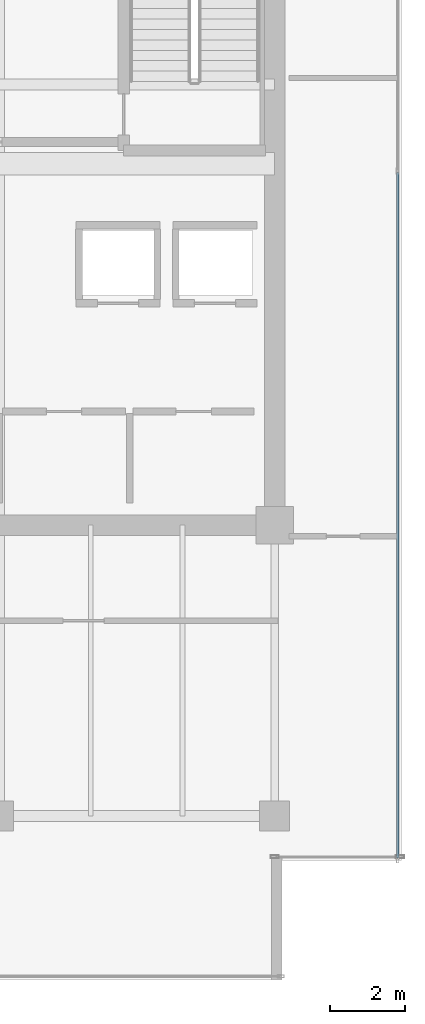
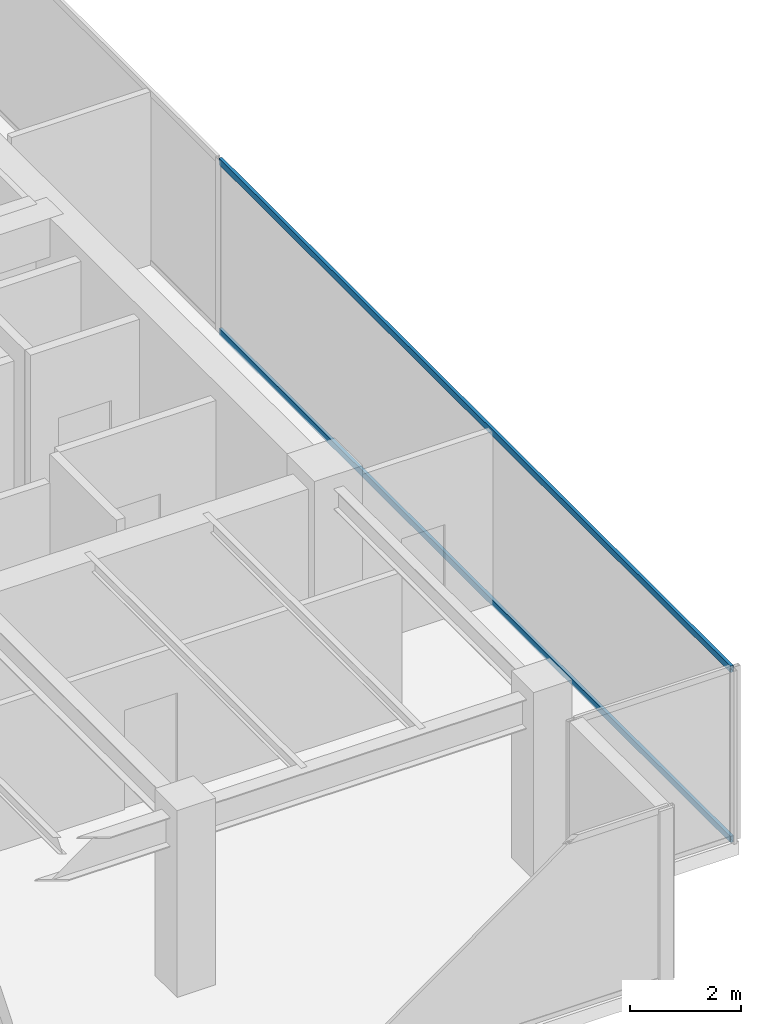
# One storey, part 23 of 33: 2 members, 1 element without a shape of its own.
"""IFC4 building model written with IfcOpenShell, lengths in metres."""

from ifc_helpers import new_model, si_unit, direction, frame, origin, origin_2d, place, context, subcontext, project, spatial, hollow_rectangle, extrude, source, transform, mapped, material, layer, layer_set, material_profile, profile_set, type_object, type_shapes, element, aggregate, save


model = new_model("IFC4")

# Units and contexts
model_context = context("Model", 3, precision=1e-05, world=origin(), true_north=direction((0.0, 1.0)))
body_context = subcontext(model_context, "Body", "Model", "MODEL_VIEW")
ifc_project = project(units=[si_unit("LENGTHUNIT", "METRE"), si_unit("AREAUNIT", "SQUARE_METRE"), si_unit("VOLUMEUNIT", "CUBIC_METRE"), si_unit("PLANEANGLEUNIT", "RADIAN"), si_unit("MASSUNIT", "GRAM", prefix="KILO")], contexts=[model_context])

# Site, building, storey
site_placement = place(None, origin())
site = spatial("IfcSite", under=ifc_project, at=site_placement, CompositionType="ELEMENT")
building_placement = place(site_placement, origin())
building = spatial("IfcBuilding", under=site, at=building_placement, Name="Haelvirn Gate Laboratories", CompositionType="ELEMENT")
storey_placement = place(building_placement, frame((0.0, 0.0, 258.800048828125)))
storey = spatial("IfcBuildingStorey", under=building, at=storey_placement, Name="L62", CompositionType="ELEMENT", Elevation=258.800048828125)

# Curtain wall, members
ifc_material_1 = material(Name="Anodised bronze unitised aluminium & triple low-E glass", Category="aluminium")
ifc_layer = layer(ifc_material_1, 0.176025390625, Name="CW-SYS-4")
ifc_layer_set = layer_set([ifc_layer], Name="Anodised bronze unitised aluminium & triple low-E glass")
curtain_wall_type = type_object("IfcCurtainWallType", Name="CW-SYS-4", PredefinedType="NOTDEFINED", material=ifc_layer_set)
curtain_wall_placement = place(storey_placement, origin())
curtain_wall = element("IfcCurtainWall", 1, at=curtain_wall_placement, inside=storey, type_object=curtain_wall_type, Name="L62 Unitised Curtain Wall CW-L62-P0-E07", PredefinedType="NOTDEFINED")
ifc_material_2 = material(Name="Extruded aluminium 6063-T6 (anodised bronze)", Category="aluminium")
ifc_material_profile = material_profile(ifc_material_2, hollow_rectangle(XDim=0.06494140625, YDim=0.139892578125, WallThickness=0.00390625, at=origin_2d()), Name="CWT-140x65x4")
ifc_profile_set = profile_set([ifc_material_profile], Name="Extruded aluminium 6063-T6 (anodised bronze)")
member_type = type_object("IfcMemberType", Name="CWT-T140", PredefinedType="USERDEFINED", material=ifc_profile_set)
shared_shape = source(origin(), body_context, "Body", "SweptSolid", [
    extrude(hollow_rectangle(XDim=0.06494140625, YDim=0.139892578125, WallThickness=0.00390625, at=origin_2d()), origin(), (0.0, 0.0, 1.0), 18.394775390625),
])
type_shapes(member_type, [shared_shape])
member_1_placement = place(storey_placement, frame((70.699951171875, 5.8701171875, 0.032470703125), z_axis=(0.0, 1.0, 0.0), x_axis=(-1.0, 0.0, 0.0)))
member_1 = element("IfcMember", 2, at=member_1_placement, type_object=member_type, Name="CW4 transom 1.1", ObjectType="TRANSOM", PredefinedType="USERDEFINED", context=body_context, shape_type="MappedRepresentation", body=[
    mapped(shared_shape, transform((0.0, 0.0, 0.0), scale=1.0)),
])
member_2_placement = place(storey_placement, frame((70.699951171875, 5.8701171875, 3.767333984375), z_axis=(0.0, 1.0, 0.0), x_axis=(-1.0, 0.0, 0.0)))
member_2 = element("IfcMember", 3, at=member_2_placement, type_object=member_type, Name="CW4 transom 1.2", ObjectType="TRANSOM", PredefinedType="USERDEFINED", context=body_context, shape_type="MappedRepresentation", body=[
    mapped(shared_shape, transform((0.0, 0.0, 0.0), scale=1.0)),
])
aggregate(curtain_wall, [member_1, member_2])

save(model, "model.ifc")
